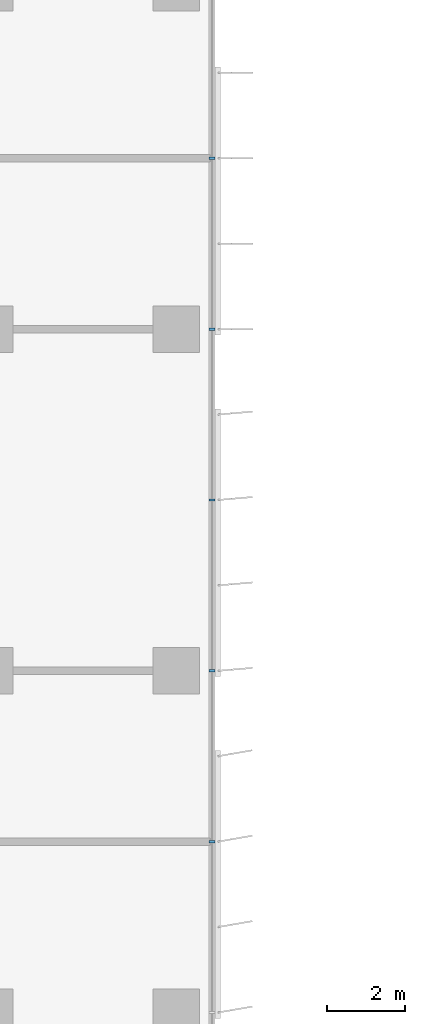
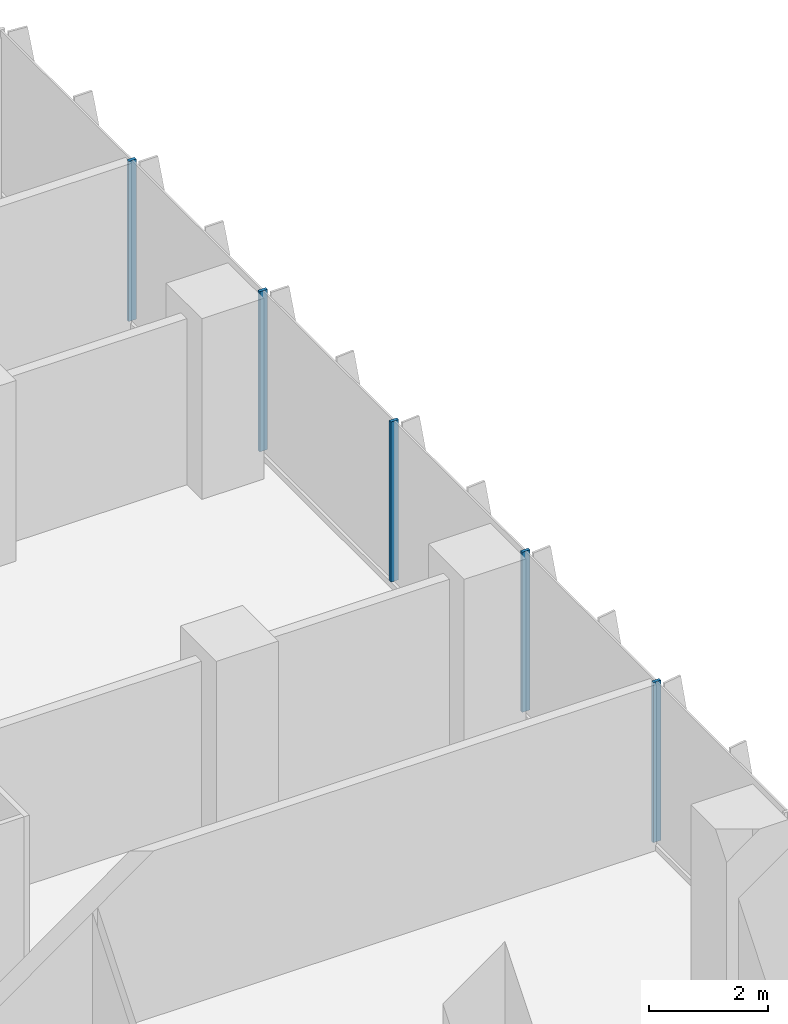
# One storey, part 5 of 23: 5 members, 1 element without a shape of its own.
"""IFC4 building model written with IfcOpenShell, lengths in metres."""

from ifc_helpers import new_model, si_unit, direction, frame, origin, origin_2d, place, context, subcontext, project, spatial, rectangle, extrude, source, transform, mapped, material, material_profile, profile_set, type_object, element, aggregate, save


model = new_model("IFC4")

# Units and contexts
model_context = context("Model", 3, precision=1e-05, world=origin(), true_north=direction((0.0, 1.0)))
body_context = subcontext(model_context, "Body", "Model", "MODEL_VIEW")
ifc_project = project(units=[si_unit("LENGTHUNIT", "METRE"), si_unit("AREAUNIT", "SQUARE_METRE"), si_unit("VOLUMEUNIT", "CUBIC_METRE"), si_unit("PLANEANGLEUNIT", "RADIAN"), si_unit("MASSUNIT", "GRAM", prefix="KILO")], contexts=[model_context])

# Site, building, storey
site_placement = place(None, origin())
site = spatial("IfcSite", under=ifc_project, at=site_placement, CompositionType="ELEMENT")
building_placement = place(site_placement, origin())
building = spatial("IfcBuilding", under=site, at=building_placement, Name="Kemantara Hotel Tower", CompositionType="ELEMENT")
storey_placement = place(building_placement, frame((0.0, 0.0, 118.5)))
storey = spatial("IfcBuildingStorey", under=building, at=storey_placement, Name="L28", CompositionType="ELEMENT", Elevation=118.5)

# Curtain wall, members
ifc_material_1 = material(Name="Low-E tinted double insulated glass 36 mm", Category="glass")
curtain_wall_type = type_object("IfcCurtainWallType", Name="TOWER CURTAIN WALL, FRONT FACES", PredefinedType="USERDEFINED", material=ifc_material_1)
curtain_wall_placement = place(storey_placement, origin())
curtain_wall = element("IfcCurtainWall", 1, at=curtain_wall_placement, inside=storey, type_object=curtain_wall_type, Name="CW4 L28 T2-R14-1", ObjectType="TOWER CURTAIN WALL, FRONT FACES", PredefinedType="USERDEFINED")
ifc_material_2 = material(Name="Aluminium 6063-T6 bronze anodised", Category="aluminium")
ifc_material_profile = material_profile(ifc_material_2, rectangle(XDim=0.14990234375, YDim=0.06005859375, at=origin_2d()), Name="TOWER CURTAIN WALL, FRONT FACES MULLION")
ifc_profile_set = profile_set([ifc_material_profile], Name="Aluminium 6063-T6 bronze anodised")
member_type = type_object("IfcMemberType", Name="TOWER CURTAIN WALL, FRONT FACES MULLION", PredefinedType="MULLION", material=ifc_profile_set)
shared_shape = source(origin(), body_context, "Body", "SweptSolid", [
    extrude(rectangle(XDim=0.14990234375, YDim=0.06005859375, at=origin_2d()), origin(), (0.0, 0.0, 1.0), 3.27978515625),
])
member_1_placement = place(storey_placement, frame((26.72509765625, 31.800048828125, 0.1201171875), z_axis=(0.0, 0.0, 1.0), x_axis=(-1.0, 0.0, 0.0)))
member_1 = element("IfcMember", 2, at=member_1_placement, type_object=member_type, Name="CW4 mullion T2-R14-1.4", PredefinedType="MULLION", context=body_context, shape_type="MappedRepresentation", body=[
    mapped(shared_shape, transform((0.0, 0.0, 0.0))),
])
member_2_placement = place(storey_placement, frame((26.72509765625, 36.199951171875, 0.1201171875), z_axis=(0.0, 0.0, 1.0), x_axis=(-1.0, 0.0, 0.0)))
member_2 = element("IfcMember", 3, at=member_2_placement, type_object=member_type, Name="CW4 mullion T2-R14-1.5", PredefinedType="MULLION", context=body_context, shape_type="MappedRepresentation", body=[
    mapped(shared_shape, transform((0.0, 0.0, 0.0))),
])
member_3_placement = place(storey_placement, frame((26.72509765625, 40.60009765625, 0.1201171875), z_axis=(0.0, 0.0, 1.0), x_axis=(-1.0, 0.0, 0.0)))
member_3 = element("IfcMember", 4, at=member_3_placement, type_object=member_type, Name="CW4 mullion T2-R14-1.6", PredefinedType="MULLION", context=body_context, shape_type="MappedRepresentation", body=[
    mapped(shared_shape, transform((0.0, 0.0, 0.0))),
])
member_4_placement = place(storey_placement, frame((26.72509765625, 45.0, 0.1201171875), z_axis=(0.0, 0.0, 1.0), x_axis=(-1.0, 0.0, 0.0)))
member_4 = element("IfcMember", 5, at=member_4_placement, type_object=member_type, Name="CW4 mullion T2-R14-1.7", PredefinedType="MULLION", context=body_context, shape_type="MappedRepresentation", body=[
    mapped(shared_shape, transform((0.0, 0.0, 0.0))),
])
member_5_placement = place(storey_placement, frame((26.72509765625, 49.39990234375, 0.1201171875), z_axis=(0.0, 0.0, 1.0), x_axis=(-1.0, 0.0, 0.0)))
member_5 = element("IfcMember", 6, at=member_5_placement, type_object=member_type, Name="CW4 mullion T2-R14-1.8", PredefinedType="MULLION", context=body_context, shape_type="MappedRepresentation", body=[
    mapped(shared_shape, transform((0.0, 0.0, 0.0))),
])
aggregate(curtain_wall, [member_1, member_2, member_3, member_4, member_5])

save(model, "model.ifc")
